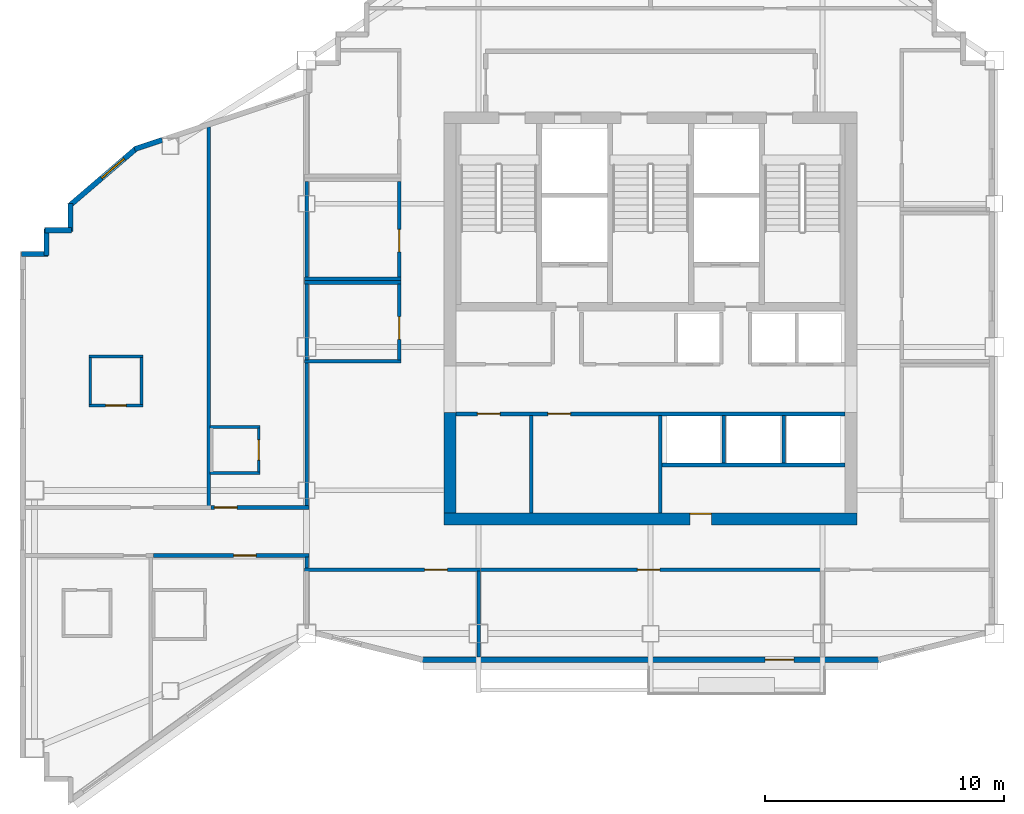
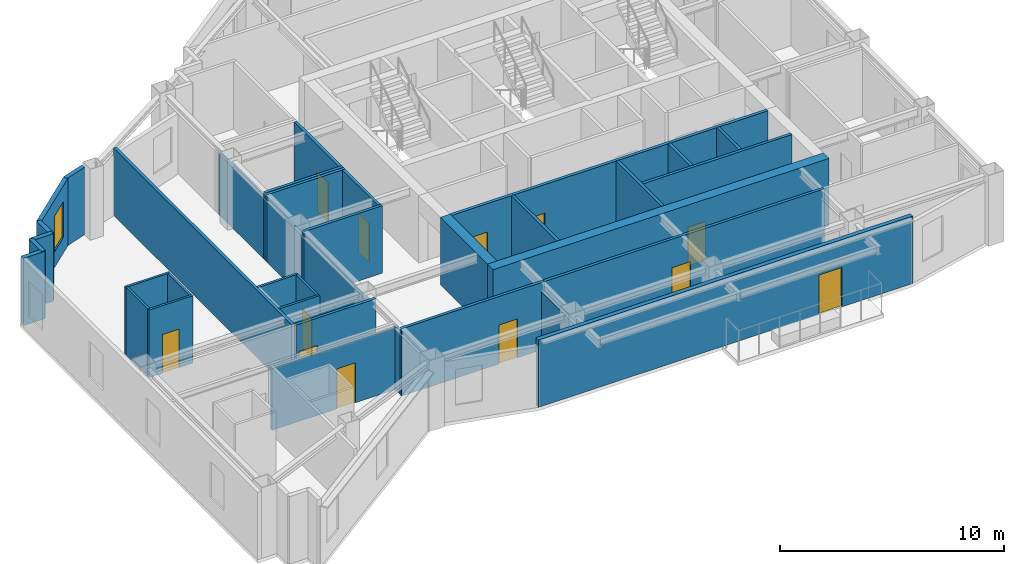
# One storey, part 5 of 10: 37 walls, 12 doors, 1 window, 13 openings.
"""IFC4 building model written with IfcOpenShell, lengths in metres."""

from ifc_helpers import new_model, si_unit, direction, frame, frame_2d, origin, place, context, subcontext, project, spatial, rectangle, extrude, material, layer, layer_set, type_object, element, fill, save


model = new_model("IFC4")

# Units and contexts
model_context = context("Model", 3, precision=1e-05, world=origin(), true_north=direction((0.0, 1.0)))
body_context = subcontext(model_context, "Body", "Model", "MODEL_VIEW")
ifc_project = project(units=[si_unit("LENGTHUNIT", "METRE"), si_unit("AREAUNIT", "SQUARE_METRE"), si_unit("VOLUMEUNIT", "CUBIC_METRE"), si_unit("PLANEANGLEUNIT", "RADIAN"), si_unit("MASSUNIT", "GRAM", prefix="KILO")], contexts=[model_context])

# Site, building, storey
site_placement = place(None, origin())
site = spatial("IfcSite", under=ifc_project, at=site_placement, CompositionType="ELEMENT")
building_placement = place(site_placement, origin())
building = spatial("IfcBuilding", under=site, at=building_placement, Name="Haolan Belvedere Tower", CompositionType="ELEMENT")
storey_placement = place(building_placement, frame((0.0, 0.0, 246.75)))
storey = spatial("IfcBuildingStorey", under=building, at=storey_placement, Name="L62", CompositionType="ELEMENT", Elevation=246.75)

# Wall, opening, door
ifc_material_1 = material(Name="Concrete C50/60", Category="concrete")
ifc_layer_1 = layer(ifc_material_1, 0.5, Name="Concrete C50/60")
ifc_layer_set_1 = layer_set([ifc_layer_1], Name="Concrete C50/60")
wall_type_1 = type_object("IfcWallType", Name="WL-CORE-500", PredefinedType="SHEAR", material=ifc_layer_set_1)
wall_1_placement = place(storey_placement, frame((29.75, 26.39990234375, 0.0), z_axis=(0.0, 0.0, 1.0), x_axis=(1.0, 0.0, 0.0)))
wall_1 = element("IfcWall", 1, at=wall_1_placement, inside=storey, type_object=wall_type_1, Name="L62 central core south shear wall", PredefinedType="SHEAR", context=body_context, shape_type="SweptSolid", body=[
    extrude(rectangle(XDim=17.300048828125, YDim=0.5, at=frame_2d((8.64990234375, 0.0))), origin(), (0.0, 0.0, 1.0), 3.669921875),
])
opening_1_placement = place(wall_1_placement, frame((11.199951171875, 0.0, 0.0), z_axis=(0.0, 0.0, 1.0), x_axis=(-1.0, 0.0, 0.0)))
opening_1 = element("IfcOpeningElement", 2, at=opening_1_placement, cuts=wall_1, Name="Opening FD-05", PredefinedType="OPENING", context=body_context, shape_type="SweptSolid", body=[
    extrude(rectangle(XDim=0.89990234375, YDim=2.10009765625, at=frame_2d((0.449951171875, 1.050048828125))), frame((0.0, 0.260009765625, 0.0), z_axis=(0.0, -1.0, 0.0), x_axis=(1.0, 0.0, 0.0)), (0.0, 0.0, 1.0), 0.52001953125),
])
ifc_material_2 = material(Name="Galvanised fire-rated steel", Category="steel")
door_type_1 = type_object("IfcDoorType", Name="DR-FD60-900", OperationType="NOTDEFINED", PredefinedType="DOOR", material=ifc_material_2)
door_1_placement = place(opening_1_placement, origin())
door_1 = element("IfcDoor", 3, at=door_1_placement, inside=storey, type_object=door_type_1, Name="L62 door CD-L62-SCVE", OperationType="SINGLE_SWING_RIGHT", OverallHeight=2.10009765625, OverallWidth=0.89990234375, PredefinedType="DOOR", context=body_context, shape_type="SweptSolid", body=[
    extrude(rectangle(XDim=0.89990234375, YDim=2.10009765625, at=frame_2d((0.449951171875, 1.050048828125))), frame((0.0, -0.19482421875, 0.0), z_axis=(0.0, -1.0, 0.0), x_axis=(1.0, 0.0, 0.0)), (0.0, 0.0, 1.0), 0.050048828125),
])
fill(opening_1, door_1)

# Wall
wall_2_placement = place(storey_placement, frame((30.0, 26.64990234375, 0.0), z_axis=(0.0, 0.0, 1.0), x_axis=(0.0, 1.0, 0.0)))
element("IfcWall", 4, at=wall_2_placement, inside=storey, type_object=wall_type_1, Name="L62 central core shear wall WS", PredefinedType="SHEAR", context=body_context, shape_type="SweptSolid", body=[
    extrude(rectangle(XDim=4.2001953125, YDim=0.5, at=frame_2d((2.10009765625, 0.0))), origin(), (0.0, 0.0, 1.0), 3.669921875),
])

# Wall, opening, door
ifc_material_3 = material(Name="Precast concrete C40/50", Category="concrete")
ifc_layer_2 = layer(ifc_material_3, 0.219970703125, Name="Precast concrete C40/50")
ifc_layer_set_2 = layer_set([ifc_layer_2], Name="Precast concrete C40/50")
wall_type_2 = type_object("IfcWallType", Name="WL-EXT-220", PredefinedType="SOLIDWALL", material=ifc_layer_set_2)
wall_3_placement = place(storey_placement, frame((28.758544921875, 20.510009765625, 0.0), z_axis=(0.0, 0.0, 1.0), x_axis=(1.0, 0.0, 0.0)))
wall_3 = element("IfcWall", 5, at=wall_3_placement, inside=storey, type_object=wall_type_2, Name="L62 pale-metal exterior spandrel wall 1.1", PredefinedType="SOLIDWALL", context=body_context, shape_type="SweptSolid", body=[
    extrude(rectangle(XDim=19.282958984375, YDim=0.219970703125, at=frame_2d((9.6416015625, 0.0))), origin(), (0.0, 0.0, 1.0), 3.669921875),
])
opening_2_placement = place(wall_3_placement, frame((15.641357421875, 0.0, 0.0), z_axis=(0.0, 0.0, 1.0), x_axis=(-1.0, 0.0, 0.0)))
opening_2 = element("IfcOpeningElement", 6, at=opening_2_placement, cuts=wall_3, Name="Opening BD-01", PredefinedType="OPENING", context=body_context, shape_type="SweptSolid", body=[
    extrude(rectangle(XDim=1.199951171875, YDim=2.14990234375, at=frame_2d((0.60009765625, 1.074951171875))), frame((0.0, 0.119873046875, 0.0), z_axis=(0.0, -1.0, 0.0), x_axis=(1.0, 0.0, 0.0)), (0.0, 0.0, 1.0), 0.239990234375),
])
ifc_material_4 = material(Name="Thermally broken pale-metal aluminium and Low-E glass", Category="aluminium")
door_type_2 = type_object("IfcDoorType", Name="DR-BAL-1200", OperationType="NOTDEFINED", PredefinedType="DOOR", material=ifc_material_4)
door_2_placement = place(opening_2_placement, origin())
door_2 = element("IfcDoor", 7, at=door_2_placement, inside=storey, type_object=door_type_2, Name="L62 tree-balcony access door 1", OperationType="SINGLE_SWING_RIGHT", OverallHeight=2.14990234375, OverallWidth=1.199951171875, PredefinedType="DOOR", context=body_context, shape_type="SweptSolid", body=[
    extrude(rectangle(XDim=1.199951171875, YDim=2.14990234375, at=frame_2d((0.60009765625, 1.074951171875))), frame((0.0, 0.02490234375, 0.0), z_axis=(0.0, -1.0, 0.0), x_axis=(1.0, 0.0, 0.0)), (0.0, 0.0, 1.0), 0.050048828125),
])
fill(opening_2, door_2)

# Wall
wall_4_placement = place(storey_placement, frame((17.9580078125, 42.27001953125, 0.0), z_axis=(0.0, 0.0, 1.0), x_axis=(-0.948683298051, -0.316227766017, 0.0)))
element("IfcWall", 8, at=wall_4_placement, inside=storey, type_object=wall_type_2, Name="L62 pale-metal exterior spandrel wall 17.2", PredefinedType="SOLIDWALL", context=body_context, shape_type="SweptSolid", body=[
    extrude(rectangle(XDim=1.217529296875, YDim=0.219970703125, at=frame_2d((0.60888671875, 0.0))), origin(), (0.0, 0.0, 1.0), 3.669921875),
])

# Wall, opening, window
wall_5_placement = place(storey_placement, frame((16.89697265625, 41.938232421875, 0.0), z_axis=(0.0, 0.0, 1.0), x_axis=(-0.759279729622, -0.650764390686, 0.0)))
wall_5 = element("IfcWall", 9, at=wall_5_placement, inside=storey, type_object=wall_type_2, Name="L62 pale-metal exterior spandrel wall 18.1", PredefinedType="SOLIDWALL", context=body_context, shape_type="SweptSolid", body=[
    extrude(rectangle(XDim=3.725830078125, YDim=0.219970703125, at=frame_2d((1.86279296875, 0.0))), origin(), (0.0, 0.0, 1.0), 3.669921875),
])
opening_3_placement = place(wall_5_placement, frame((0.699951171875, 0.0, 0.85009765625)))
opening_3 = element("IfcOpeningElement", 10, at=opening_3_placement, cuts=wall_5, Name="Opening W-04", PredefinedType="OPENING", context=body_context, shape_type="SweptSolid", body=[
    extrude(rectangle(XDim=1.25, YDim=1.949951171875, at=frame_2d((0.625, 0.97509765625))), frame((0.0, 0.119873046875, 0.0), z_axis=(0.0, -1.0, 0.0), x_axis=(1.0, 0.0, 0.0)), (0.0, 0.0, 1.0), 0.239990234375),
])
ifc_material_5 = material(Name="Anodised aluminium 6063-T6 and Low-E glass", Category="aluminium")
window_type = type_object("IfcWindowType", Name="WN-DECO-Z4", PartitioningType="SINGLE_PANEL", PredefinedType="WINDOW", material=ifc_material_5)
window_placement = place(opening_3_placement, origin())
window = element("IfcWindow", 11, at=window_placement, inside=storey, type_object=window_type, Name="L62 Art Deco chevron window 1", OverallHeight=1.949951171875, OverallWidth=1.25, PartitioningType="SINGLE_PANEL", PredefinedType="WINDOW", context=body_context, shape_type="SweptSolid", body=[
    extrude(rectangle(XDim=1.25, YDim=1.949951171875, at=frame_2d((0.625, 0.97509765625))), frame((0.0, 0.030029296875, 0.0), z_axis=(0.0, -1.0, 0.0), x_axis=(1.0, 0.0, 0.0)), (0.0, 0.0, 1.0), 0.06005859375),
])
fill(opening_3, window)

# Walls
wall_6_placement = place(storey_placement, frame((14.110107421875, 39.6044921875, 0.0), z_axis=(0.0, 0.0, 1.0), x_axis=(0.0, -1.0, 0.0)))
element("IfcWall", 12, at=wall_6_placement, inside=storey, type_object=wall_type_2, Name="L62 pale-metal exterior spandrel wall 19.1", PredefinedType="SOLIDWALL", context=body_context, shape_type="SweptSolid", body=[
    extrude(rectangle(XDim=1.16943359375, YDim=0.219970703125, at=frame_2d((0.584716796875, 0.0))), origin(), (0.0, 0.0, 1.0), 3.669921875),
])
wall_7_placement = place(storey_placement, frame((14.1650390625, 38.489990234375, 0.0), z_axis=(0.0, 0.0, 1.0), x_axis=(-1.0, 0.0, 0.0)))
element("IfcWall", 13, at=wall_7_placement, inside=storey, type_object=wall_type_2, Name="L62 pale-metal exterior spandrel wall 20.1", PredefinedType="SOLIDWALL", context=body_context, shape_type="SweptSolid", body=[
    extrude(rectangle(XDim=1.110107421875, YDim=0.219970703125, at=frame_2d((0.55517578125, 0.0))), origin(), (0.0, 0.0, 1.0), 3.669921875),
])
wall_8_placement = place(storey_placement, frame((13.110107421875, 38.544921875, 0.0), z_axis=(0.0, 0.0, 1.0), x_axis=(0.0, -1.0, 0.0)))
element("IfcWall", 14, at=wall_8_placement, inside=storey, type_object=wall_type_2, Name="L62 pale-metal exterior spandrel wall 21.1", PredefinedType="SOLIDWALL", context=body_context, shape_type="SweptSolid", body=[
    extrude(rectangle(XDim=1.10986328125, YDim=0.219970703125, at=frame_2d((0.554931640625, 0.0))), origin(), (0.0, 0.0, 1.0), 3.669921875),
])
wall_9_placement = place(storey_placement, frame((13.1650390625, 37.489990234375, 0.0), z_axis=(0.0, 0.0, 1.0), x_axis=(-1.0, 0.0, 0.0)))
element("IfcWall", 15, at=wall_9_placement, inside=storey, type_object=wall_type_2, Name="L62 pale-metal exterior spandrel wall 22.1", PredefinedType="SOLIDWALL", context=body_context, shape_type="SweptSolid", body=[
    extrude(rectangle(XDim=1.110107421875, YDim=0.219970703125, at=frame_2d((0.55517578125, 0.0))), origin(), (0.0, 0.0, 1.0), 3.669921875),
])
ifc_material_6 = material(Name="Double gypsum acoustic stud partition", Category="masonry")
ifc_layer_3 = layer(ifc_material_6, 0.14990234375, Name="Double gypsum acoustic stud partition")
ifc_layer_set_3 = layer_set([ifc_layer_3], Name="Double gypsum acoustic stud partition")
wall_type_3 = type_object("IfcWallType", Name="WL-PART-150", PredefinedType="PARTITIONING", material=ifc_layer_set_3)
wall_10_placement = place(storey_placement, frame((33.39990234375, 26.659912109375, 0.0), z_axis=(0.0, 0.0, 1.0), x_axis=(0.0, 1.0, 0.0)))
element("IfcWall", 16, at=wall_10_placement, inside=storey, type_object=wall_type_3, Name="L62 interior partition IW-L62-DIV-REUSE-PM", PredefinedType="PARTITIONING", context=body_context, shape_type="SweptSolid", body=[
    extrude(rectangle(XDim=4.0751953125, YDim=0.14990234375, at=frame_2d((2.03759765625, 0.0))), origin(), (0.0, 0.0, 1.0), 3.669921875),
])
wall_11_placement = place(storey_placement, frame((38.860107421875, 28.659912109375, 0.0), z_axis=(0.0, 0.0, 1.0), x_axis=(1.0, 0.0, 0.0)))
element("IfcWall", 17, at=wall_11_placement, inside=storey, type_object=wall_type_3, Name="L62 interior partition IW-L62-SSTRIP-E", PredefinedType="PARTITIONING", context=body_context, shape_type="SweptSolid", body=[
    extrude(rectangle(XDim=7.68994140625, YDim=0.14990234375, at=frame_2d((3.844970703125, 0.0))), origin(), (0.0, 0.0, 1.0), 3.669921875),
])
for number, where, z_axis, x_axis, name in (
    (18, (23.919921875, 36.300048828125, 0.0), (0.0, 0.0, 1.0), (1.0, 0.0, 0.0), "L62 interior partition IW-L62-AWC-N"),
    (19, (23.919921875, 33.0, 0.0), (0.0, 0.0, 1.0), (1.0, 0.0, 0.0), "L62 interior partition IW-L62-AWC-S"),
):
    element("IfcWall", number, at=place(storey_placement, frame(where, z_axis=z_axis, x_axis=x_axis)), inside=storey, type_object=wall_type_3, Name=name, PredefinedType="PARTITIONING", context=body_context, shape_type="SweptSolid", body=[
        extrude(rectangle(XDim=4.0400390625, YDim=0.14990234375, at=frame_2d((2.02001953125, 0.0))), origin(), (0.0, 0.0, 1.0), 3.669921875),
    ])
wall_12_placement = place(storey_placement, frame((24.0, 33.06005859375, 0.0), z_axis=(0.0, 0.0, 1.0), x_axis=(0.0, 1.0, 0.0)))
element("IfcWall", 20, at=wall_12_placement, inside=storey, type_object=wall_type_3, Name="L62 interior partition IW-L62-AWC-W", PredefinedType="PARTITIONING", context=body_context, shape_type="SweptSolid", body=[
    extrude(rectangle(XDim=3.179931640625, YDim=0.14990234375, at=frame_2d((1.58984375, 0.0))), origin(), (0.0, 0.0, 1.0), 3.31494140625),
])

# Wall, opening, door
wall_13_placement = place(storey_placement, frame((27.8798828125, 33.06005859375, 0.0), z_axis=(0.0, 0.0, 1.0), x_axis=(0.0, 1.0, 0.0)))
wall_13 = element("IfcWall", 21, at=wall_13_placement, inside=storey, type_object=wall_type_3, Name="L62 interior partition IW-L62-AWC-E", PredefinedType="PARTITIONING", context=body_context, shape_type="SweptSolid", body=[
    extrude(rectangle(XDim=3.179931640625, YDim=0.14990234375, at=frame_2d((1.58984375, 0.0))), origin(), (0.0, 0.0, 1.0), 3.669921875),
])
opening_4_placement = place(wall_13_placement, frame((1.81005859375, 0.0, 0.0), z_axis=(0.0, 0.0, 1.0), x_axis=(-1.0, 0.0, 0.0)))
opening_4 = element("IfcOpeningElement", 22, at=opening_4_placement, cuts=wall_13, Name="Opening ID-03", PredefinedType="OPENING", context=body_context, shape_type="SweptSolid", body=[
    extrude(rectangle(XDim=0.949951171875, YDim=2.1201171875, at=frame_2d((0.47509765625, 1.06005859375))), frame((0.0, 0.0849609375, 0.0), z_axis=(0.0, -1.0, 0.0), x_axis=(1.0, 0.0, 0.0)), (0.0, 0.0, 1.0), 0.169921875),
])
ifc_material_7 = material(Name="Painted solid-core timber", Category="wood")
door_type_3 = type_object("IfcDoorType", Name="DR-INT-950", OperationType="NOTDEFINED", PredefinedType="DOOR", material=ifc_material_7)
door_3_placement = place(opening_4_placement, origin())
door_3 = element("IfcDoor", 23, at=door_3_placement, inside=storey, type_object=door_type_3, Name="L62 door ID-L62-AWC", OperationType="SINGLE_SWING_LEFT", OverallHeight=2.1201171875, OverallWidth=0.949951171875, PredefinedType="DOOR", context=body_context, shape_type="SweptSolid", body=[
    extrude(rectangle(XDim=0.949951171875, YDim=2.1201171875, at=frame_2d((0.47509765625, 1.06005859375))), frame((0.0, 0.02490234375, 0.0), z_axis=(0.0, -1.0, 0.0), x_axis=(1.0, 0.0, 0.0)), (0.0, 0.0, 1.0), 0.050048828125),
])
fill(opening_4, door_3)

# Walls
wall_14_placement = place(storey_placement, frame((23.919921875, 36.4599609375, 0.0), z_axis=(0.0, 0.0, 1.0), x_axis=(1.0, 0.0, 0.0)))
element("IfcWall", 24, at=wall_14_placement, inside=storey, type_object=wall_type_3, Name="L62 interior partition IW-L62-PNT-S", PredefinedType="PARTITIONING", context=body_context, shape_type="SweptSolid", body=[
    extrude(rectangle(XDim=4.0400390625, YDim=0.14990234375, at=frame_2d((2.02001953125, 0.0))), origin(), (0.0, 0.0, 1.0), 3.669921875),
])
wall_15_placement = place(storey_placement, frame((24.0, 36.52001953125, 0.0), z_axis=(0.0, 0.0, 1.0), x_axis=(0.0, 1.0, 0.0)))
element("IfcWall", 25, at=wall_15_placement, inside=storey, type_object=wall_type_3, Name="L62 interior partition IW-L62-PNT-W", PredefinedType="PARTITIONING", context=body_context, shape_type="SweptSolid", body=[
    extrude(rectangle(XDim=4.02001953125, YDim=0.14990234375, at=frame_2d((2.010009765625, 0.0))), origin(), (0.0, 0.0, 1.0), 3.31494140625),
])

# Wall, opening, door
wall_16_placement = place(storey_placement, frame((27.8798828125, 36.52001953125, 0.0), z_axis=(0.0, 0.0, 1.0), x_axis=(0.0, 1.0, 0.0)))
wall_16 = element("IfcWall", 26, at=wall_16_placement, inside=storey, type_object=wall_type_3, Name="L62 interior partition IW-L62-PNT-E", PredefinedType="PARTITIONING", context=body_context, shape_type="SweptSolid", body=[
    extrude(rectangle(XDim=4.02001953125, YDim=0.14990234375, at=frame_2d((2.010009765625, 0.0))), origin(), (0.0, 0.0, 1.0), 3.669921875),
])
opening_5_placement = place(wall_16_placement, frame((2.010009765625, 0.0, 0.0), z_axis=(0.0, 0.0, 1.0), x_axis=(-1.0, 0.0, 0.0)))
opening_5 = element("IfcOpeningElement", 27, at=opening_5_placement, cuts=wall_16, Name="Opening ID-03", PredefinedType="OPENING", context=body_context, shape_type="SweptSolid", body=[
    extrude(rectangle(XDim=0.949951171875, YDim=2.1201171875, at=frame_2d((0.47509765625, 1.06005859375))), frame((0.0, 0.0849609375, 0.0), z_axis=(0.0, -1.0, 0.0), x_axis=(1.0, 0.0, 0.0)), (0.0, 0.0, 1.0), 0.169921875),
])
door_4_placement = place(opening_5_placement, origin())
door_4 = element("IfcDoor", 28, at=door_4_placement, inside=storey, type_object=door_type_3, Name="L62 door ID-L62-PNT", OperationType="SINGLE_SWING_RIGHT", OverallHeight=2.1201171875, OverallWidth=0.949951171875, PredefinedType="DOOR", context=body_context, shape_type="SweptSolid", body=[
    extrude(rectangle(XDim=0.949951171875, YDim=2.1201171875, at=frame_2d((0.47509765625, 1.06005859375))), frame((0.0, 0.02490234375, 0.0), z_axis=(0.0, -1.0, 0.0), x_axis=(1.0, 0.0, 0.0)), (0.0, 0.0, 1.0), 0.050048828125),
])
fill(opening_5, door_4)

wall_17_placement = place(storey_placement, frame((23.919921875, 24.280029296875, 0.0), z_axis=(0.0, 0.0, 1.0), x_axis=(1.0, 0.0, 0.0)))
wall_17 = element("IfcWall", 29, at=wall_17_placement, inside=storey, type_object=wall_type_3, Name="L62 interior partition IW-L62-KS1-N", PredefinedType="PARTITIONING", context=body_context, shape_type="SweptSolid", body=[
    extrude(rectangle(XDim=7.360107421875, YDim=0.14990234375, at=frame_2d((3.68017578125, 0.0))), origin(), (0.0, 0.0, 1.0), 3.669921875),
])
opening_6_placement = place(wall_17_placement, frame((5.969970703125, 0.0, 0.0), z_axis=(0.0, 0.0, 1.0), x_axis=(-1.0, 0.0, 0.0)))
opening_6 = element("IfcOpeningElement", 30, at=opening_6_placement, cuts=wall_17, Name="Opening ID-03", PredefinedType="OPENING", context=body_context, shape_type="SweptSolid", body=[
    extrude(rectangle(XDim=0.949951171875, YDim=2.1201171875, at=frame_2d((0.47509765625, 1.06005859375))), frame((0.0, 0.0849609375, 0.0), z_axis=(0.0, -1.0, 0.0), x_axis=(1.0, 0.0, 0.0)), (0.0, 0.0, 1.0), 0.169921875),
])
door_5_placement = place(opening_6_placement, origin())
door_5 = element("IfcDoor", 31, at=door_5_placement, inside=storey, type_object=door_type_3, Name="L62 door ID-L62-KS1", OperationType="SINGLE_SWING_RIGHT", OverallHeight=2.1201171875, OverallWidth=0.949951171875, PredefinedType="DOOR", context=body_context, shape_type="SweptSolid", body=[
    extrude(rectangle(XDim=0.949951171875, YDim=2.1201171875, at=frame_2d((0.47509765625, 1.06005859375))), frame((0.0, 0.02490234375, 0.0), z_axis=(0.0, -1.0, 0.0), x_axis=(1.0, 0.0, 0.0)), (0.0, 0.0, 1.0), 0.050048828125),
])
fill(opening_6, door_5)

# Wall
wall_18_placement = place(storey_placement, frame((31.199951171875, 20.612060546875, 0.0), z_axis=(0.0, 0.0, 1.0), x_axis=(0.0, 1.0, 0.0)))
element("IfcWall", 32, at=wall_18_placement, inside=storey, type_object=wall_type_3, Name="L62 interior partition IW-L62-KS1-E", PredefinedType="PARTITIONING", context=body_context, shape_type="SweptSolid", body=[
    extrude(rectangle(XDim=3.60791015625, YDim=0.14990234375, at=frame_2d((1.803955078125, 0.0))), origin(), (0.0, 0.0, 1.0), 3.155029296875),
])

# Wall, opening, door
wall_19_placement = place(storey_placement, frame((31.281982421875, 24.280029296875, 0.0), z_axis=(0.0, 0.0, 1.0), x_axis=(1.0, 0.0, 0.0)))
wall_19 = element("IfcWall", 33, at=wall_19_placement, inside=storey, type_object=wall_type_3, Name="L62 interior partition IW-L62-KS2-N", PredefinedType="PARTITIONING", context=body_context, shape_type="SweptSolid", body=[
    extrude(rectangle(XDim=14.39794921875, YDim=0.14990234375, at=frame_2d((7.198974609375, 0.0))), origin(), (0.0, 0.0, 1.0), 3.669921875),
])
opening_7_placement = place(wall_19_placement, frame((7.512939453125, 0.0, 0.0), z_axis=(0.0, 0.0, 1.0), x_axis=(-1.0, 0.0, 0.0)))
opening_7 = element("IfcOpeningElement", 34, at=opening_7_placement, cuts=wall_19, Name="Opening ID-03", PredefinedType="OPENING", context=body_context, shape_type="SweptSolid", body=[
    extrude(rectangle(XDim=0.949951171875, YDim=2.1201171875, at=frame_2d((0.47509765625, 1.06005859375))), frame((0.0, 0.0849609375, 0.0), z_axis=(0.0, -1.0, 0.0), x_axis=(1.0, 0.0, 0.0)), (0.0, 0.0, 1.0), 0.169921875),
])
door_6_placement = place(opening_7_placement, origin())
door_6 = element("IfcDoor", 35, at=door_6_placement, inside=storey, type_object=door_type_3, Name="L62 door ID-L62-KS2", OperationType="SINGLE_SWING_LEFT", OverallHeight=2.1201171875, OverallWidth=0.949951171875, PredefinedType="DOOR", context=body_context, shape_type="SweptSolid", body=[
    extrude(rectangle(XDim=0.949951171875, YDim=2.1201171875, at=frame_2d((0.47509765625, 1.06005859375))), frame((0.0, 0.02490234375, 0.0), z_axis=(0.0, -1.0, 0.0), x_axis=(1.0, 0.0, 0.0)), (0.0, 0.0, 1.0), 0.050048828125),
])
fill(opening_7, door_6)

# Wall
wall_20_placement = place(storey_placement, frame((19.89990234375, 26.93994140625, 0.0), z_axis=(0.0, 0.0, 1.0), x_axis=(0.0, 1.0, 0.0)))
element("IfcWall", 36, at=wall_20_placement, inside=storey, type_object=wall_type_3, Name="L62 interior partition IW-L62-T2N1-E", PredefinedType="PARTITIONING", context=body_context, shape_type="SweptSolid", body=[
    extrude(rectangle(XDim=15.869873046875, YDim=0.14990234375, at=frame_2d((7.93505859375, 0.0))), origin(), (0.0, 0.0, 1.0), 3.669921875),
])

# Wall, opening, door
wall_21_placement = place(storey_placement, frame((20.001953125, 26.8798828125, 0.0), z_axis=(0.0, 0.0, 1.0), x_axis=(1.0, 0.0, 0.0)))
wall_21 = element("IfcWall", 37, at=wall_21_placement, inside=storey, type_object=wall_type_3, Name="L62 interior partition IW-L62-T2N2-S", PredefinedType="PARTITIONING", context=body_context, shape_type="SweptSolid", body=[
    extrude(rectangle(XDim=4.09814453125, YDim=0.14990234375, at=frame_2d((2.049072265625, 0.0))), origin(), (0.0, 0.0, 1.0), 3.669921875),
])
opening_8_placement = place(wall_21_placement, frame((0.139892578125, 0.0, 0.0)))
opening_8 = element("IfcOpeningElement", 38, at=opening_8_placement, cuts=wall_21, Name="Opening ID-01", PredefinedType="OPENING", context=body_context, shape_type="SweptSolid", body=[
    extrude(rectangle(XDim=0.949951171875, YDim=2.179931640625, at=frame_2d((0.47509765625, 1.08984375))), frame((0.0, 0.0849609375, 0.0), z_axis=(0.0, -1.0, 0.0), x_axis=(1.0, 0.0, 0.0)), (0.0, 0.0, 1.0), 0.169921875),
])
ifc_material_8 = material(Name="Acoustic walnut veneer fire-rated timber", Category="wood")
door_type_4 = type_object("IfcDoorType", Name="DR-SUITE-950", OperationType="NOTDEFINED", PredefinedType="DOOR", material=ifc_material_8)
door_7_placement = place(opening_8_placement, origin())
door_7 = element("IfcDoor", 39, at=door_7_placement, inside=storey, type_object=door_type_4, Name="L62 door ID-L62-T2N2-ENT", OperationType="SINGLE_SWING_RIGHT", OverallHeight=2.179931640625, OverallWidth=0.949951171875, PredefinedType="DOOR", context=body_context, shape_type="SweptSolid", body=[
    extrude(rectangle(XDim=0.949951171875, YDim=2.179931640625, at=frame_2d((0.47509765625, 1.08984375))), frame((0.0, 0.02490234375, 0.0), z_axis=(0.0, -1.0, 0.0), x_axis=(1.0, 0.0, 0.0)), (0.0, 0.0, 1.0), 0.050048828125),
])
fill(opening_8, door_7)

# Wall
wall_22_placement = place(storey_placement, frame((24.0, 26.93994140625, 0.0), z_axis=(0.0, 0.0, 1.0), x_axis=(0.0, 1.0, 0.0)))
element("IfcWall", 40, at=wall_22_placement, inside=storey, type_object=wall_type_3, Name="L62 interior partition IW-L62-T2N2-E", PredefinedType="PARTITIONING", context=body_context, shape_type="SweptSolid", body=[
    extrude(rectangle(XDim=6.0, YDim=0.14990234375, at=frame_2d((3.0, 0.0))), origin(), (0.0, 0.0, 1.0), 3.31494140625),
])

# Wall, opening, door
wall_23_placement = place(storey_placement, frame((17.58203125, 24.8701171875, 0.0), z_axis=(0.0, 0.0, 1.0), x_axis=(1.0, 0.0, 0.0)))
wall_23 = element("IfcWall", 41, at=wall_23_placement, inside=storey, type_object=wall_type_3, Name="L62 interior partition IW-L62-T2S2-N", PredefinedType="PARTITIONING", context=body_context, shape_type="SweptSolid", body=[
    extrude(rectangle(XDim=6.51806640625, YDim=0.14990234375, at=frame_2d((3.259033203125, 0.0))), origin(), (0.0, 0.0, 1.0), 3.35498046875),
])
opening_9_placement = place(wall_23_placement, frame((4.309326171875, 0.0, 0.0), z_axis=(0.0, 0.0, 1.0), x_axis=(-1.0, 0.0, 0.0)))
opening_9 = element("IfcOpeningElement", 42, at=opening_9_placement, cuts=wall_23, Name="Opening ID-01", PredefinedType="OPENING", context=body_context, shape_type="SweptSolid", body=[
    extrude(rectangle(XDim=0.949951171875, YDim=2.179931640625, at=frame_2d((0.47509765625, 1.08984375))), frame((0.0, 0.0849609375, 0.0), z_axis=(0.0, -1.0, 0.0), x_axis=(1.0, 0.0, 0.0)), (0.0, 0.0, 1.0), 0.169921875),
])
door_8_placement = place(opening_9_placement, origin())
door_8 = element("IfcDoor", 43, at=door_8_placement, inside=storey, type_object=door_type_4, Name="L62 door ID-L62-T2S2-ENT", OperationType="SINGLE_SWING_RIGHT", OverallHeight=2.179931640625, OverallWidth=0.949951171875, PredefinedType="DOOR", context=body_context, shape_type="SweptSolid", body=[
    extrude(rectangle(XDim=0.949951171875, YDim=2.179931640625, at=frame_2d((0.47509765625, 1.08984375))), frame((0.0, 0.02490234375, 0.0), z_axis=(0.0, -1.0, 0.0), x_axis=(1.0, 0.0, 0.0)), (0.0, 0.0, 1.0), 0.050048828125),
])
fill(opening_9, door_8)

# Wall
wall_24_placement = place(storey_placement, frame((24.0, 24.340087890625, 0.0), z_axis=(0.0, 0.0, 1.0), x_axis=(0.0, 1.0, 0.0)))
element("IfcWall", 44, at=wall_24_placement, inside=storey, type_object=wall_type_3, Name="L62 interior partition IW-L62-T2S2-E", PredefinedType="PARTITIONING", context=body_context, shape_type="SweptSolid", body=[
    extrude(rectangle(XDim=0.469970703125, YDim=0.14990234375, at=frame_2d((0.23486328125, 0.0))), origin(), (0.0, 0.0, 1.0), 3.31494140625),
])

# Wall, openings, doors
ifc_material_9 = material(Name="Gypsum fire shaftwall assembly", Category="masonry")
ifc_layer_4 = layer(ifc_material_9, 0.1650390625, Name="Gypsum fire shaftwall assembly")
ifc_layer_set_4 = layer_set([ifc_layer_4], Name="Gypsum fire shaftwall assembly")
wall_type_4 = type_object("IfcWallType", Name="WL-SHAFT-160", PredefinedType="SOLIDWALL", material=ifc_layer_set_4)
wall_25_placement = place(storey_placement, frame((30.25, 30.800048828125, 0.0), z_axis=(0.0, 0.0, 1.0), x_axis=(1.0, 0.0, 0.0)))
wall_25 = element("IfcWall", 45, at=wall_25_placement, inside=storey, type_object=wall_type_4, Name="L62 interior partition IW-L62-ROW-PS", PredefinedType="SOLIDWALL", context=body_context, shape_type="SweptSolid", body=[
    extrude(rectangle(XDim=16.300048828125, YDim=0.159912109375, at=frame_2d((8.14990234375, 0.0))), origin(), (0.0, 0.0, 1.0), 3.669921875),
])
opening_10_placement = place(wall_25_placement, frame((0.89990234375, 0.0, 0.0)))
opening_10 = element("IfcOpeningElement", 46, at=opening_10_placement, cuts=wall_25, Name="Opening ID-03", PredefinedType="OPENING", context=body_context, shape_type="SweptSolid", body=[
    extrude(rectangle(XDim=0.949951171875, YDim=2.1201171875, at=frame_2d((0.47509765625, 1.06005859375))), frame((0.0, 0.08984375, 0.0), z_axis=(0.0, -1.0, 0.0), x_axis=(1.0, 0.0, 0.0)), (0.0, 0.0, 1.0), 0.179931640625),
])
opening_11_placement = place(wall_25_placement, frame((3.85009765625, 0.0, 0.0)))
opening_11 = element("IfcOpeningElement", 47, at=opening_11_placement, cuts=wall_25, Name="Opening ID-03", PredefinedType="OPENING", context=body_context, shape_type="SweptSolid", body=[
    extrude(rectangle(XDim=0.949951171875, YDim=2.1201171875, at=frame_2d((0.47509765625, 1.06005859375))), frame((0.0, 0.08984375, 0.0), z_axis=(0.0, -1.0, 0.0), x_axis=(1.0, 0.0, 0.0)), (0.0, 0.0, 1.0), 0.179931640625),
])
door_9_placement = place(opening_10_placement, origin())
door_9 = element("IfcDoor", 48, at=door_9_placement, inside=storey, type_object=door_type_3, Name="L62 door ID-L62-CD-RPMA", OperationType="SINGLE_SWING_LEFT", OverallHeight=2.1201171875, OverallWidth=0.949951171875, PredefinedType="DOOR", context=body_context, shape_type="SweptSolid", body=[
    extrude(rectangle(XDim=0.949951171875, YDim=2.1201171875, at=frame_2d((0.47509765625, 1.06005859375))), frame((0.0, 0.02490234375, 0.0), z_axis=(0.0, -1.0, 0.0), x_axis=(1.0, 0.0, 0.0)), (0.0, 0.0, 1.0), 0.050048828125),
])
fill(opening_10, door_9)
door_10_placement = place(opening_11_placement, origin())
door_10 = element("IfcDoor", 49, at=door_10_placement, inside=storey, type_object=door_type_3, Name="L62 door ID-L62-CD-RPMB", OperationType="SINGLE_SWING_RIGHT", OverallHeight=2.1201171875, OverallWidth=0.949951171875, PredefinedType="DOOR", context=body_context, shape_type="SweptSolid", body=[
    extrude(rectangle(XDim=0.949951171875, YDim=2.1201171875, at=frame_2d((0.47509765625, 1.06005859375))), frame((0.0, 0.02490234375, 0.0), z_axis=(0.0, -1.0, 0.0), x_axis=(1.0, 0.0, 0.0)), (0.0, 0.0, 1.0), 0.050048828125),
])
fill(opening_11, door_10)

# Walls
wall_26_placement = place(storey_placement, frame((38.800048828125, 26.659912109375, 0.0), z_axis=(0.0, 0.0, 1.0), x_axis=(0.0, 1.0, 0.0)))
element("IfcWall", 50, at=wall_26_placement, inside=storey, type_object=wall_type_4, Name="L62 interior partition IW-L62-DIV-PM-OB", PredefinedType="SOLIDWALL", context=body_context, shape_type="SweptSolid", body=[
    extrude(rectangle(XDim=4.0751953125, YDim=0.14990234375, at=frame_2d((2.03759765625, 0.0))), origin(), (0.0, 0.0, 1.0), 3.669921875),
])
for number, where, z_axis, x_axis, name in (
    (51, (41.469970703125, 28.75, 0.0), (0.0, 0.0, 1.0), (0.0, 1.0, 0.0), "L62 interior partition IW-L62-DIV-OB1"),
    (52, (43.97998046875, 28.75, 0.0), (0.0, 0.0, 1.0), (0.0, 1.0, 0.0), "L62 interior partition IW-L62-DIV-OB2"),
):
    element("IfcWall", number, at=place(storey_placement, frame(where, z_axis=z_axis, x_axis=x_axis)), inside=storey, type_object=wall_type_4, Name=name, PredefinedType="SOLIDWALL", context=body_context, shape_type="SweptSolid", body=[
        extrude(rectangle(XDim=1.985107421875, YDim=0.14990234375, at=frame_2d((0.99267578125, 0.0))), origin(), (0.0, 0.0, 1.0), 3.669921875),
    ])
ifc_material_10 = material(Name="Moisture-resistant gypsum tile partition", Category="masonry")
ifc_layer_5 = layer(ifc_material_10, 0.1201171875, Name="Moisture-resistant gypsum tile partition")
ifc_layer_set_5 = layer_set([ifc_layer_5], Name="Moisture-resistant gypsum tile partition")
wall_type_5 = type_object("IfcWallType", Name="WL-WET-120", PredefinedType="PARTITIONING", material=ifc_layer_set_5)
wall_27_placement = place(storey_placement, frame((14.8798828125, 33.199951171875, 0.0), z_axis=(0.0, 0.0, 1.0), x_axis=(1.0, 0.0, 0.0)))
element("IfcWall", 53, at=wall_27_placement, inside=storey, type_object=wall_type_5, Name="L62 interior partition IW-L62-T2N1-BN", PredefinedType="PARTITIONING", context=body_context, shape_type="SweptSolid", body=[
    extrude(rectangle(XDim=2.27001953125, YDim=0.1201171875, at=frame_2d((1.135009765625, 0.0))), origin(), (0.0, 0.0, 1.0), 3.669921875),
])

# Wall, opening, door
wall_28_placement = place(storey_placement, frame((14.8798828125, 31.14990234375, 0.0), z_axis=(0.0, 0.0, 1.0), x_axis=(1.0, 0.0, 0.0)))
wall_28 = element("IfcWall", 54, at=wall_28_placement, inside=storey, type_object=wall_type_5, Name="L62 interior partition IW-L62-T2N1-BS", PredefinedType="PARTITIONING", context=body_context, shape_type="SweptSolid", body=[
    extrude(rectangle(XDim=2.27001953125, YDim=0.1201171875, at=frame_2d((1.135009765625, 0.0))), origin(), (0.0, 0.0, 1.0), 3.669921875),
])
opening_12_placement = place(wall_28_placement, frame((0.7099609375, 0.0, 0.0)))
opening_12 = element("IfcOpeningElement", 55, at=opening_12_placement, cuts=wall_28, Name="Opening ID-05", PredefinedType="OPENING", context=body_context, shape_type="SweptSolid", body=[
    extrude(rectangle(XDim=0.85009765625, YDim=2.10009765625, at=frame_2d((0.425048828125, 1.050048828125))), frame((0.0, 0.070068359375, 0.0), z_axis=(0.0, -1.0, 0.0), x_axis=(1.0, 0.0, 0.0)), (0.0, 0.0, 1.0), 0.14013671875),
])
ifc_material_11 = material(Name="Moisture-resistant lacquered timber", Category="wood")
door_type_5 = type_object("IfcDoorType", Name="DR-BATH-850", OperationType="NOTDEFINED", PredefinedType="DOOR", material=ifc_material_11)
door_11_placement = place(opening_12_placement, origin())
door_11 = element("IfcDoor", 56, at=door_11_placement, inside=storey, type_object=door_type_5, Name="L62 door ID-L62-T2N1-BATH", OperationType="SINGLE_SWING_RIGHT", OverallHeight=2.10009765625, OverallWidth=0.85009765625, PredefinedType="DOOR", context=body_context, shape_type="SweptSolid", body=[
    extrude(rectangle(XDim=0.85009765625, YDim=2.10009765625, at=frame_2d((0.425048828125, 1.050048828125))), frame((0.0, 0.02490234375, 0.0), z_axis=(0.0, -1.0, 0.0), x_axis=(1.0, 0.0, 0.0)), (0.0, 0.0, 1.0), 0.050048828125),
])
fill(opening_12, door_11)

# Walls
for number, where, z_axis, x_axis, name in (
    (57, (14.93994140625, 31.195068359375, 0.0), (0.0, 0.0, 1.0), (0.0, 1.0, 0.0), "L62 interior partition IW-L62-T2N1-BW"),
    (58, (17.090087890625, 31.195068359375, 0.0), (0.0, 0.0, 1.0), (0.0, 1.0, 0.0), "L62 interior partition IW-L62-T2N1-BE"),
):
    element("IfcWall", number, at=place(storey_placement, frame(where, z_axis=z_axis, x_axis=x_axis)), inside=storey, type_object=wall_type_5, Name=name, PredefinedType="PARTITIONING", context=body_context, shape_type="SweptSolid", body=[
        extrude(rectangle(XDim=1.9599609375, YDim=0.1201171875, at=frame_2d((0.97998046875, 0.0))), origin(), (0.0, 0.0, 1.0), 3.669921875),
    ])
for number, where, z_axis, x_axis, name in (
    (59, (19.9599609375, 30.25, 0.0), (0.0, 0.0, 1.0), (1.0, 0.0, 0.0), "L62 interior partition IW-L62-T2N2-BN"),
    (60, (19.9599609375, 28.330078125, 0.0), (0.0, 0.0, 1.0), (1.0, 0.0, 0.0), "L62 interior partition IW-L62-T2N2-BS"),
):
    element("IfcWall", number, at=place(storey_placement, frame(where, z_axis=z_axis, x_axis=x_axis)), inside=storey, type_object=wall_type_5, Name=name, PredefinedType="PARTITIONING", context=body_context, shape_type="SweptSolid", body=[
        extrude(rectangle(XDim=2.09423828125, YDim=0.1201171875, at=frame_2d((1.047119140625, 0.0))), origin(), (0.0, 0.0, 1.0), 3.669921875),
    ])

# Wall, opening, door
wall_29_placement = place(storey_placement, frame((21.994140625, 28.375, 0.0), z_axis=(0.0, 0.0, 1.0), x_axis=(0.0, 1.0, 0.0)))
wall_29 = element("IfcWall", 61, at=wall_29_placement, inside=storey, type_object=wall_type_5, Name="L62 interior partition IW-L62-T2N2-BE", PredefinedType="PARTITIONING", context=body_context, shape_type="SweptSolid", body=[
    extrude(rectangle(XDim=1.830078125, YDim=0.1201171875, at=frame_2d((0.9150390625, 0.0))), origin(), (0.0, 0.0, 1.0), 3.669921875),
])
opening_13_placement = place(wall_29_placement, frame((0.489990234375, 0.0, 0.0)))
opening_13 = element("IfcOpeningElement", 62, at=opening_13_placement, cuts=wall_29, Name="Opening ID-05", PredefinedType="OPENING", context=body_context, shape_type="SweptSolid", body=[
    extrude(rectangle(XDim=0.85009765625, YDim=2.10009765625, at=frame_2d((0.425048828125, 1.050048828125))), frame((0.0, 0.070068359375, 0.0), z_axis=(0.0, -1.0, 0.0), x_axis=(1.0, 0.0, 0.0)), (0.0, 0.0, 1.0), 0.14013671875),
])
door_12_placement = place(opening_13_placement, origin())
door_12 = element("IfcDoor", 63, at=door_12_placement, inside=storey, type_object=door_type_5, Name="L62 door ID-L62-T2N2-BATH", OperationType="SINGLE_SWING_LEFT", OverallHeight=2.10009765625, OverallWidth=0.85009765625, PredefinedType="DOOR", context=body_context, shape_type="SweptSolid", body=[
    extrude(rectangle(XDim=0.85009765625, YDim=2.10009765625, at=frame_2d((0.425048828125, 1.050048828125))), frame((0.0, 0.02490234375, 0.0), z_axis=(0.0, -1.0, 0.0), x_axis=(1.0, 0.0, 0.0)), (0.0, 0.0, 1.0), 0.050048828125),
])
fill(opening_13, door_12)

save(model, "model.ifc")
